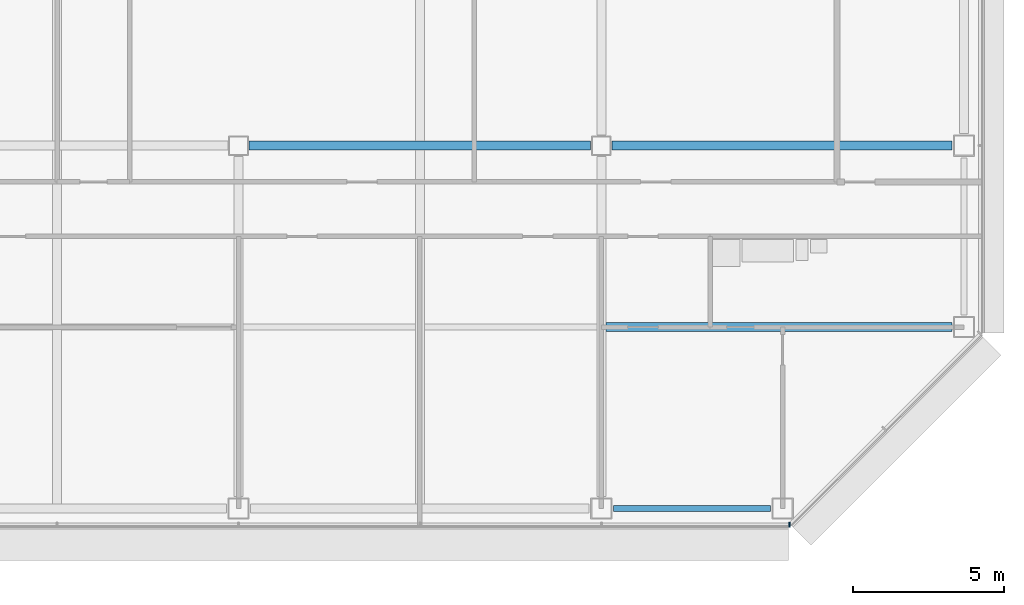
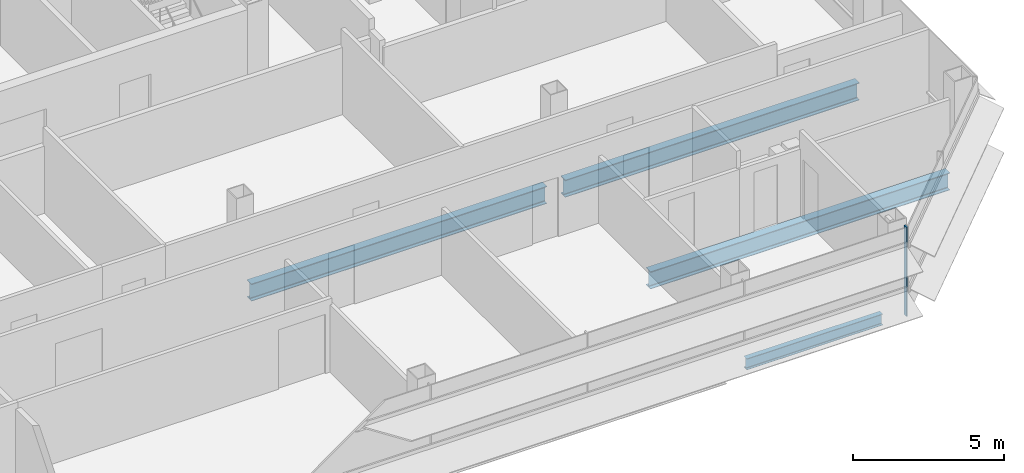
# One storey, part 9 of 26: 4 beams, 1 member, 1 element without a shape of its own.
"""IFC4 building model written with IfcOpenShell, lengths in metres."""

from ifc_helpers import new_model, si_unit, direction, frame, origin, origin_2d, place, context, subcontext, project, spatial, rectangle, i_section, extrude, material, material_profile, profile_set, type_object, element, aggregate, save


model = new_model("IFC4")

# Units and contexts
model_context = context("Model", 3, precision=1e-05, world=origin(), true_north=direction((0.0, 1.0)))
body_context = subcontext(model_context, "Body", "Model", "MODEL_VIEW")
ifc_project = project(units=[si_unit("LENGTHUNIT", "METRE"), si_unit("AREAUNIT", "SQUARE_METRE"), si_unit("VOLUMEUNIT", "CUBIC_METRE"), si_unit("PLANEANGLEUNIT", "RADIAN"), si_unit("MASSUNIT", "GRAM", prefix="KILO")], contexts=[model_context])

# Site, building, storey
site_placement = place(None, origin())
site = spatial("IfcSite", under=ifc_project, at=site_placement, CompositionType="ELEMENT")
building_placement = place(site_placement, origin())
building = spatial("IfcBuilding", under=site, at=building_placement, Name="Sorahane Residences", CompositionType="ELEMENT")
storey_placement = place(building_placement, frame((0.0, 0.0, 147.39990234375)))
storey = spatial("IfcBuildingStorey", under=building, at=storey_placement, Name="L33", CompositionType="ELEMENT", Elevation=147.39990234375)

# Curtain wall, member
ifc_material_1 = material(Name="Dark low-e glass and black anodised aluminium", Category="aluminium")
curtain_wall_type = type_object("IfcCurtainWallType", Name="Curtain wall CW-1 Typical unitised wall", PredefinedType="NOTDEFINED", material=ifc_material_1)
curtain_wall_placement = place(storey_placement, origin())
curtain_wall = element("IfcCurtainWall", 1, at=curtain_wall_placement, inside=storey, type_object=curtain_wall_type, Name="CW-1 curtain wall L33 S1", PredefinedType="NOTDEFINED")
ifc_material_2 = material(Name="Black anodised aluminium", Category="aluminium")
ifc_material_profile_1 = material_profile(ifc_material_2, rectangle(XDim=0.159912109375, YDim=0.050048828125, at=origin_2d()), Name="Curtain wall mullion CW-1 black anodised aluminium 50x160")
ifc_profile_set_1 = profile_set([ifc_material_profile_1], Name="Black anodised aluminium")
member_type = type_object("IfcMemberType", Name="Curtain wall mullion CW-1 black anodised aluminium 50x160", PredefinedType="MULLION", material=ifc_profile_set_1)
member_placement = place(storey_placement, frame((54.2236328125, -0.5400390625, -0.179931640625), z_axis=(0.0, 0.0, 1.0), x_axis=(0.0, -1.0, 0.0)))
member = element("IfcMember", 2, at=member_placement, type_object=member_type, Name="CW-1 mullion L33 S1.10", PredefinedType="MULLION", context=body_context, shape_type="SweptSolid", body=[
    extrude(rectangle(XDim=0.159912109375, YDim=0.050048828125, at=origin_2d()), origin(), (0.0, 0.0, 1.0), 3.60009765625),
])
aggregate(curtain_wall, [member])

# Beams
ifc_material_3 = material(Name="Steel Q355B", Category="steel")
ifc_material_profile_2 = material_profile(ifc_material_3, i_section(OverallWidth=0.199951171875, OverallDepth=0.449951171875, WebThickness=0.009033203125, FlangeThickness=0.013916015625, FilletRadius=0.02001953125, at=origin_2d()), Name="HN 450x200x9x14")
ifc_profile_set_2 = profile_set([ifc_material_profile_2], Name="Steel Q355B")
beam_type_1 = type_object("IfcBeamType", Name="Steel floor beam HN 450x200x9x14 Q355B", PredefinedType="BEAM", material=ifc_profile_set_2)
beam_1_placement = place(storey_placement, frame((48.39990234375, 0.0, -0.40478515625), z_axis=(1.0, 0.0, 0.0), x_axis=(0.0, 1.0, 0.0)))
element("IfcBeam", 3, at=beam_1_placement, inside=storey, type_object=beam_type_1, Name="Beam L33 004", PredefinedType="BEAM", context=body_context, shape_type="SweptSolid", body=[
    extrude(i_section(OverallWidth=0.199951171875, OverallDepth=0.449951171875, WebThickness=0.009033203125, FlangeThickness=0.013916015625, FilletRadius=0.02001953125, at=origin_2d()), origin(), (0.0, 0.0, 1.0), 5.2001953125),
])
ifc_material_4 = material(Name="Steel Q355B", Category="steel")
ifc_material_profile_3 = material_profile(ifc_material_4, i_section(OverallWidth=0.300048828125, OverallDepth=0.699951171875, WebThickness=0.012939453125, FlangeThickness=0.02392578125, FilletRadius=0.028076171875, at=origin_2d()), Name="HN 700x300x13x24")
ifc_profile_set_3 = profile_set([ifc_material_profile_3], Name="Steel Q355B")
beam_type_2 = type_object("IfcBeamType", Name="Steel floor beam HN 700x300x13x24 Q355B", PredefinedType="BEAM", material=ifc_profile_set_3)
beam_2_placement = place(storey_placement, frame((36.35009765625, 12.0, -0.52978515625), z_axis=(1.0, 0.0, 0.0), x_axis=(0.0, 1.0, 0.0)))
element("IfcBeam", 4, at=beam_2_placement, inside=storey, type_object=beam_type_2, Name="Beam L33 009", PredefinedType="BEAM", context=body_context, shape_type="SweptSolid", body=[
    extrude(i_section(OverallWidth=0.300048828125, OverallDepth=0.699951171875, WebThickness=0.012939453125, FlangeThickness=0.02392578125, FilletRadius=0.028076171875, at=origin_2d()), origin(), (0.0, 0.0, 1.0), 11.2998046875),
])
beam_3_placement = place(storey_placement, frame((48.35009765625, 12.0, -0.52978515625), z_axis=(1.0, 0.0, 0.0), x_axis=(0.0, 1.0, 0.0)))
element("IfcBeam", 5, at=beam_3_placement, inside=storey, type_object=beam_type_2, Name="Beam L33 010", PredefinedType="BEAM", context=body_context, shape_type="SweptSolid", body=[
    extrude(i_section(OverallWidth=0.300048828125, OverallDepth=0.699951171875, WebThickness=0.012939453125, FlangeThickness=0.02392578125, FilletRadius=0.028076171875, at=origin_2d()), origin(), (0.0, 0.0, 1.0), 11.25),
])
beam_4_placement = place(storey_placement, frame((48.14990234375, 6.0, -0.52978515625), z_axis=(1.0, 0.0, 0.0), x_axis=(0.0, 1.0, 0.0)))
element("IfcBeam", 6, at=beam_4_placement, inside=storey, type_object=beam_type_2, Name="Beam L33 077", PredefinedType="BEAM", context=body_context, shape_type="SweptSolid", body=[
    extrude(i_section(OverallWidth=0.300048828125, OverallDepth=0.699951171875, WebThickness=0.012939453125, FlangeThickness=0.02392578125, FilletRadius=0.028076171875, at=origin_2d()), origin(), (0.0, 0.0, 1.0), 11.4501953125),
])

save(model, "model.ifc")
